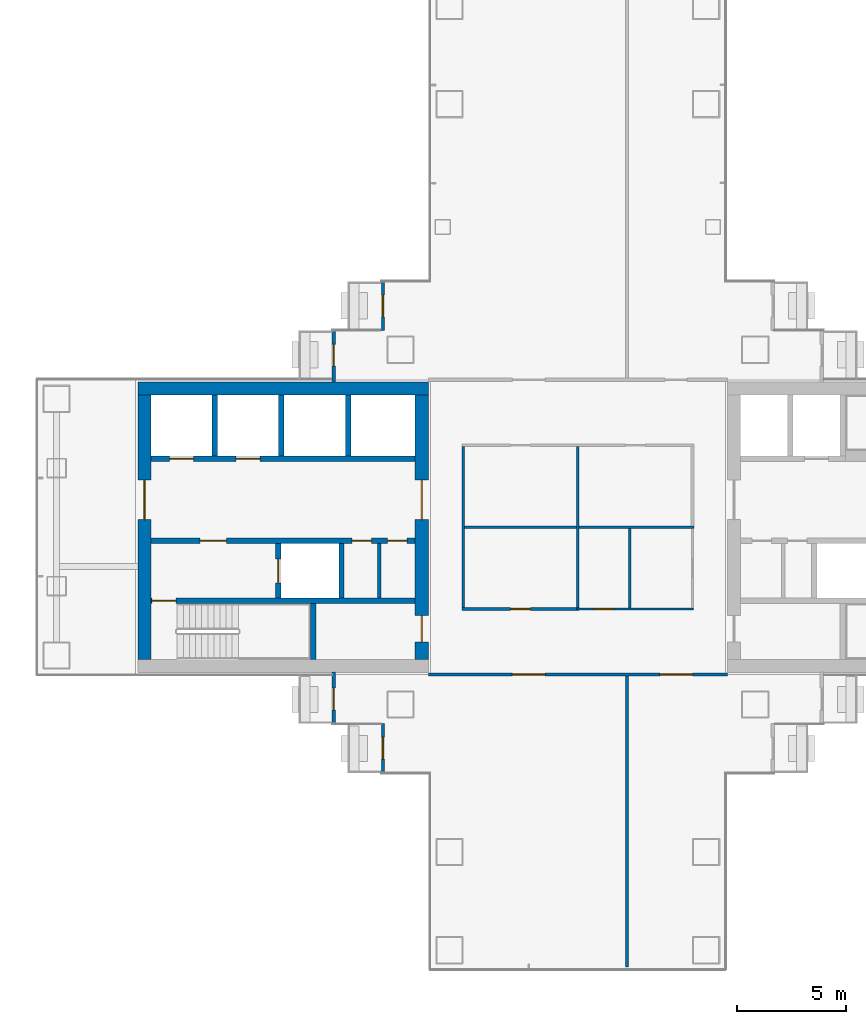
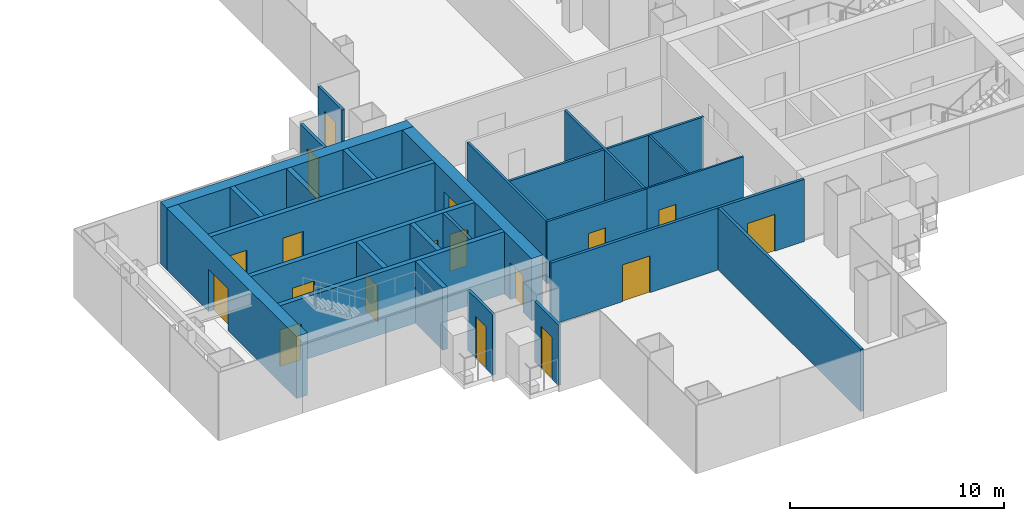
# One storey, part 13 of 19: 25 walls, 18 doors, 18 openings.
"""IFC4 building model written with IfcOpenShell, lengths in metres."""

from ifc_helpers import new_model, si_unit, direction, frame, frame_2d, origin, place, context, subcontext, project, spatial, rectangle, extrude, material, layer, layer_set, type_object, element, fill, save


model = new_model("IFC4")

# Units and contexts
model_context = context("Model", 3, precision=1e-05, world=origin(), true_north=direction((0.0, 1.0)))
body_context = subcontext(model_context, "Body", "Model", "MODEL_VIEW")
ifc_project = project(units=[si_unit("LENGTHUNIT", "METRE"), si_unit("AREAUNIT", "SQUARE_METRE"), si_unit("VOLUMEUNIT", "CUBIC_METRE"), si_unit("PLANEANGLEUNIT", "RADIAN"), si_unit("MASSUNIT", "GRAM", prefix="KILO")], contexts=[model_context])

# Site, building, storey
site_placement = place(None, origin())
site = spatial("IfcSite", under=ifc_project, at=site_placement, CompositionType="ELEMENT")
building_placement = place(site_placement, origin())
building = spatial("IfcBuilding", under=site, at=building_placement, Name="Shamsa Quay Exchange Towers", CompositionType="ELEMENT")
storey_placement = place(building_placement, frame((0.0, 0.0, 93.60009765625)))
storey = spatial("IfcBuildingStorey", under=building, at=storey_placement, Name="L21", CompositionType="ELEMENT", Elevation=93.60009765625)

# Wall, opening, door
ifc_material_1 = material(Name="Aluminium EN AW-6063 T6, black anodised, with black enamelled glass infill", Category="aluminium")
ifc_layer_1 = layer(ifc_material_1, 0.14990234375)
ifc_layer_set_1 = layer_set([ifc_layer_1], Name="BALCONY DOOR BAY WALL 150")
wall_type_1 = type_object("IfcWallType", Name="BALCONY DOOR BAY WALL 150", PredefinedType="SOLIDWALL", material=ifc_layer_set_1)
wall_1_placement = place(storey_placement, frame((24.824951171875, 9.0, 0.0), z_axis=(0.0, 0.0, 1.0), x_axis=(0.0, 1.0, 0.0)))
wall_1 = element("IfcWall", 1, at=wall_1_placement, inside=storey, type_object=wall_type_1, Name="Door bay T2-PKEN L21", PredefinedType="SOLIDWALL", context=body_context, shape_type="SweptSolid", body=[
    extrude(rectangle(XDim=2.25, YDim=0.14990234375, at=frame_2d((1.125, 0.0))), origin(), (0.0, 0.0, 1.0), 3.449951171875),
])
opening_1_placement = place(wall_1_placement, frame((0.625, 0.0, 0.0)))
opening_1 = element("IfcOpeningElement", 2, at=opening_1_placement, cuts=wall_1, Name="Opening XD129", PredefinedType="OPENING", context=body_context, shape_type="SweptSolid", body=[
    extrude(rectangle(XDim=1.0, YDim=2.39990234375, at=frame_2d((0.5, 1.199951171875))), frame((0.0, 0.0849609375, 0.0), z_axis=(0.0, -1.0, 0.0), x_axis=(1.0, 0.0, 0.0)), (0.0, 0.0, 1.0), 0.169921875),
])
ifc_material_2 = material(Name="Aluminium EN AW-6063 T6, black anodised, with laminated glass leaf", Category="aluminium")
door_type_1 = type_object("IfcDoorType", Name="BALCONY DOOR 1000x2400", OperationType="SINGLE_SWING_LEFT", PredefinedType="DOOR", material=ifc_material_2)
door_1_placement = place(opening_1_placement, origin())
door_1 = element("IfcDoor", 3, at=door_1_placement, inside=storey, type_object=door_type_1, Name="Balcony door T2-PKEN L21", OperationType="SINGLE_SWING_RIGHT", OverallHeight=2.39990234375, OverallWidth=1.0, PredefinedType="DOOR", context=body_context, shape_type="SweptSolid", body=[
    extrude(rectangle(XDim=1.0, YDim=2.39990234375, at=frame_2d((0.5, 1.199951171875))), frame((0.0, 0.02490234375, 0.0), z_axis=(0.0, -1.0, 0.0), x_axis=(1.0, 0.0, 0.0)), (0.0, 0.0, 1.0), 0.050048828125),
])
fill(opening_1, door_1)

wall_2_placement = place(storey_placement, frame((22.574951171875, 6.64306640625, 0.0), z_axis=(0.0, 0.0, 1.0), x_axis=(0.0, 1.0, 0.0)))
wall_2 = element("IfcWall", 4, at=wall_2_placement, inside=storey, type_object=wall_type_1, Name="Door bay T2-PKEN L21", PredefinedType="SOLIDWALL", context=body_context, shape_type="SweptSolid", body=[
    extrude(rectangle(XDim=2.35693359375, YDim=0.14990234375, at=frame_2d((1.178466796875, 0.0))), origin(), (0.0, 0.0, 1.0), 3.449951171875),
])
opening_2_placement = place(wall_2_placement, frame((0.73193359375, 0.0, 0.0)))
opening_2 = element("IfcOpeningElement", 5, at=opening_2_placement, cuts=wall_2, Name="Opening XD130", PredefinedType="OPENING", context=body_context, shape_type="SweptSolid", body=[
    extrude(rectangle(XDim=1.0, YDim=2.39990234375, at=frame_2d((0.5, 1.199951171875))), frame((0.0, 0.0849609375, 0.0), z_axis=(0.0, -1.0, 0.0), x_axis=(1.0, 0.0, 0.0)), (0.0, 0.0, 1.0), 0.169921875),
])
door_2_placement = place(opening_2_placement, origin())
door_2 = element("IfcDoor", 6, at=door_2_placement, inside=storey, type_object=door_type_1, Name="Balcony door T2-PKEN L21", OperationType="SINGLE_SWING_LEFT", OverallHeight=2.39990234375, OverallWidth=1.0, PredefinedType="DOOR", context=body_context, shape_type="SweptSolid", body=[
    extrude(rectangle(XDim=1.0, YDim=2.39990234375, at=frame_2d((0.5, 1.199951171875))), frame((0.0, 0.02490234375, 0.0), z_axis=(0.0, -1.0, 0.0), x_axis=(1.0, 0.0, 0.0)), (0.0, 0.0, 1.0), 0.050048828125),
])
fill(opening_2, door_2)

wall_3_placement = place(storey_placement, frame((22.574951171875, -9.0, 0.0), z_axis=(0.0, 0.0, 1.0), x_axis=(0.0, 1.0, 0.0)))
wall_3 = element("IfcWall", 7, at=wall_3_placement, inside=storey, type_object=wall_type_1, Name="Door bay T2-PKWN L21", PredefinedType="SOLIDWALL", context=body_context, shape_type="SweptSolid", body=[
    extrude(rectangle(XDim=2.35693359375, YDim=0.14990234375, at=frame_2d((1.178466796875, 0.0))), origin(), (0.0, 0.0, 1.0), 3.449951171875),
])
opening_3_placement = place(wall_3_placement, frame((0.625, 0.0, 0.0)))
opening_3 = element("IfcOpeningElement", 8, at=opening_3_placement, cuts=wall_3, Name="Opening XD133", PredefinedType="OPENING", context=body_context, shape_type="SweptSolid", body=[
    extrude(rectangle(XDim=1.0, YDim=2.39990234375, at=frame_2d((0.5, 1.199951171875))), frame((0.0, 0.0849609375, 0.0), z_axis=(0.0, -1.0, 0.0), x_axis=(1.0, 0.0, 0.0)), (0.0, 0.0, 1.0), 0.169921875),
])
door_3_placement = place(opening_3_placement, origin())
door_3 = element("IfcDoor", 9, at=door_3_placement, inside=storey, type_object=door_type_1, Name="Balcony door T2-PKWN L21", OperationType="SINGLE_SWING_LEFT", OverallHeight=2.39990234375, OverallWidth=1.0, PredefinedType="DOOR", context=body_context, shape_type="SweptSolid", body=[
    extrude(rectangle(XDim=1.0, YDim=2.39990234375, at=frame_2d((0.5, 1.199951171875))), frame((0.0, 0.02490234375, 0.0), z_axis=(0.0, -1.0, 0.0), x_axis=(1.0, 0.0, 0.0)), (0.0, 0.0, 1.0), 0.050048828125),
])
fill(opening_3, door_3)

wall_4_placement = place(storey_placement, frame((24.824951171875, -11.25, 0.0), z_axis=(0.0, 0.0, 1.0), x_axis=(0.0, 1.0, 0.0)))
wall_4 = element("IfcWall", 10, at=wall_4_placement, inside=storey, type_object=wall_type_1, Name="Door bay T2-PKWN L21", PredefinedType="SOLIDWALL", context=body_context, shape_type="SweptSolid", body=[
    extrude(rectangle(XDim=2.25, YDim=0.14990234375, at=frame_2d((1.125, 0.0))), origin(), (0.0, 0.0, 1.0), 3.449951171875),
])
opening_4_placement = place(wall_4_placement, frame((0.625, 0.0, 0.0)))
opening_4 = element("IfcOpeningElement", 11, at=opening_4_placement, cuts=wall_4, Name="Opening XD134", PredefinedType="OPENING", context=body_context, shape_type="SweptSolid", body=[
    extrude(rectangle(XDim=1.0, YDim=2.39990234375, at=frame_2d((0.5, 1.199951171875))), frame((0.0, 0.0849609375, 0.0), z_axis=(0.0, -1.0, 0.0), x_axis=(1.0, 0.0, 0.0)), (0.0, 0.0, 1.0), 0.169921875),
])
door_4_placement = place(opening_4_placement, origin())
door_4 = element("IfcDoor", 12, at=door_4_placement, inside=storey, type_object=door_type_1, Name="Balcony door T2-PKWN L21", OperationType="SINGLE_SWING_RIGHT", OverallHeight=2.39990234375, OverallWidth=1.0, PredefinedType="DOOR", context=body_context, shape_type="SweptSolid", body=[
    extrude(rectangle(XDim=1.0, YDim=2.39990234375, at=frame_2d((0.5, 1.199951171875))), frame((0.0, 0.02490234375, 0.0), z_axis=(0.0, -1.0, 0.0), x_axis=(1.0, 0.0, 0.0)), (0.0, 0.0, 1.0), 0.050048828125),
])
fill(opening_4, door_4)

# Wall
ifc_material_3 = material(Name="Concrete C70/85", Category="concrete")
ifc_layer_2 = layer(ifc_material_3, 0.60009765625)
ifc_layer_set_2 = layer_set([ifc_layer_2], Name="CORE WALL 600 C70/85")
wall_type_2 = type_object("IfcWallType", Name="CORE WALL 600 C70/85", PredefinedType="SHEAR", material=ifc_layer_set_2)
wall_5_placement = place(storey_placement, frame((13.60009765625, 6.35009765625, 0.0)))
element("IfcWall", 13, at=wall_5_placement, inside=storey, type_object=wall_type_2, Name="Core wall T2A-R09-PN", PredefinedType="SHEAR", context=body_context, shape_type="SweptSolid", body=[
    extrude(rectangle(XDim=13.2998046875, YDim=0.60009765625, at=frame_2d((6.64990234375, 0.0))), origin(), (0.0, 0.0, 1.0), 3.5498046875),
])

# Wall, opening, door
wall_6_placement = place(storey_placement, frame((13.89990234375, 6.050048828125, 0.0), z_axis=(0.0, 0.0, 1.0), x_axis=(0.0, -1.0, 0.0)))
wall_6 = element("IfcWall", 14, at=wall_6_placement, inside=storey, type_object=wall_type_2, Name="Core wall T2A-R09-PF", PredefinedType="SHEAR", context=body_context, shape_type="SweptSolid", body=[
    extrude(rectangle(XDim=12.10009765625, YDim=0.60009765625, at=frame_2d((6.050048828125, 0.0))), origin(), (0.0, 0.0, 1.0), 3.5498046875),
])
opening_5_placement = place(wall_6_placement, frame((3.89990234375, 0.0, 0.0)))
opening_5 = element("IfcOpeningElement", 15, at=opening_5_placement, cuts=wall_6, Name="Opening T2A-R09-LBD01", PredefinedType="OPENING", context=body_context, shape_type="SweptSolid", body=[
    extrude(rectangle(XDim=1.800048828125, YDim=2.39990234375, at=frame_2d((0.89990234375, 1.199951171875))), frame((0.0, 0.31005859375, 0.0), z_axis=(0.0, -1.0, 0.0), x_axis=(1.0, 0.0, 0.0)), (0.0, 0.0, 1.0), 0.6201171875),
])
ifc_material_4 = material(Name="Steel, fire rated", Category="steel")
door_type_2 = type_object("IfcDoorType", Name="LIFT LOBBY DOOR PAIR 1800", OperationType="DOUBLE_DOOR_SINGLE_SWING", PredefinedType="DOOR", material=ifc_material_4)
door_5_placement = place(opening_5_placement, origin())
door_5 = element("IfcDoor", 16, at=door_5_placement, inside=storey, type_object=door_type_2, Name="T2A-R09-LBD01", OperationType="DOUBLE_DOOR_SINGLE_SWING", OverallHeight=2.39990234375, OverallWidth=1.800048828125, PredefinedType="DOOR", context=body_context, shape_type="SweptSolid", body=[
    extrude(rectangle(XDim=1.800048828125, YDim=2.39990234375, at=frame_2d((0.89990234375, 1.199951171875))), frame((0.0, 0.02490234375, 0.0), z_axis=(0.0, -1.0, 0.0), x_axis=(1.0, 0.0, 0.0)), (0.0, 0.0, 1.0), 0.050048828125),
])
fill(opening_5, door_5)

# Wall, openings, doors
wall_7_placement = place(storey_placement, frame((26.60009765625, 6.050048828125, 0.0), z_axis=(0.0, 0.0, 1.0), x_axis=(0.0, -1.0, 0.0)))
wall_7 = element("IfcWall", 17, at=wall_7_placement, inside=storey, type_object=wall_type_2, Name="Core wall T2A-R09-PB", PredefinedType="SHEAR", context=body_context, shape_type="SweptSolid", body=[
    extrude(rectangle(XDim=12.10009765625, YDim=0.60009765625, at=frame_2d((6.050048828125, 0.0))), origin(), (0.0, 0.0, 1.0), 3.5498046875),
])
opening_6_placement = place(wall_7_placement, frame((10.10009765625, 0.0, 0.0)))
opening_6 = element("IfcOpeningElement", 18, at=opening_6_placement, cuts=wall_7, Name="Opening T2A-R09-RD02", PredefinedType="OPENING", context=body_context, shape_type="SweptSolid", body=[
    extrude(rectangle(XDim=1.199951171875, YDim=2.10009765625, at=frame_2d((0.60009765625, 1.050048828125))), frame((0.0, 0.31005859375, 0.0), z_axis=(0.0, -1.0, 0.0), x_axis=(1.0, 0.0, 0.0)), (0.0, 0.0, 1.0), 0.6201171875),
])
opening_7_placement = place(wall_7_placement, frame((3.89990234375, 0.0, 0.0)))
opening_7 = element("IfcOpeningElement", 19, at=opening_7_placement, cuts=wall_7, Name="Opening T2A-R09-LBD03", PredefinedType="OPENING", context=body_context, shape_type="SweptSolid", body=[
    extrude(rectangle(XDim=1.800048828125, YDim=2.39990234375, at=frame_2d((0.89990234375, 1.199951171875))), frame((0.0, 0.31005859375, 0.0), z_axis=(0.0, -1.0, 0.0), x_axis=(1.0, 0.0, 0.0)), (0.0, 0.0, 1.0), 0.6201171875),
])
door_6_placement = place(opening_7_placement, origin())
door_6 = element("IfcDoor", 20, at=door_6_placement, inside=storey, type_object=door_type_2, Name="T2A-R09-LBD03", OperationType="DOUBLE_DOOR_SINGLE_SWING", OverallHeight=2.39990234375, OverallWidth=1.800048828125, PredefinedType="DOOR", context=body_context, shape_type="SweptSolid", body=[
    extrude(rectangle(XDim=1.800048828125, YDim=2.39990234375, at=frame_2d((0.89990234375, 1.199951171875))), frame((0.0, 0.02490234375, 0.0), z_axis=(0.0, -1.0, 0.0), x_axis=(1.0, 0.0, 0.0)), (0.0, 0.0, 1.0), 0.050048828125),
])
fill(opening_7, door_6)
door_type_3 = type_object("IfcDoorType", Name="RISER ACCESS DOOR 1200", OperationType="SINGLE_SWING_LEFT", PredefinedType="DOOR", material=ifc_material_4)
door_7_placement = place(opening_6_placement, origin())
door_7 = element("IfcDoor", 21, at=door_7_placement, inside=storey, type_object=door_type_3, Name="T2A-R09-RD02", OperationType="SINGLE_SWING_RIGHT", OverallHeight=2.10009765625, OverallWidth=1.199951171875, PredefinedType="DOOR", context=body_context, shape_type="SweptSolid", body=[
    extrude(rectangle(XDim=1.199951171875, YDim=2.10009765625, at=frame_2d((0.60009765625, 1.050048828125))), frame((0.0, 0.02490234375, 0.0), z_axis=(0.0, -1.0, 0.0), x_axis=(1.0, 0.0, 0.0)), (0.0, 0.0, 1.0), 0.050048828125),
])
fill(opening_6, door_7)

# Walls
ifc_material_5 = material(Name="Gypsum board on steel studs, EI 60", Category="steel")
ifc_layer_3 = layer(ifc_material_5, 0.14990234375)
ifc_layer_set_3 = layer_set([ifc_layer_3], Name="FIRE PARTITION 150")
wall_type_3 = type_object("IfcWallType", Name="FIRE PARTITION 150", PredefinedType="PARTITIONING", material=ifc_layer_set_3)
wall_8_placement = place(storey_placement, frame((24.64990234375, -3.25, 0.0), z_axis=(0.0, 0.0, 1.0), x_axis=(0.0, 1.0, 0.0)))
element("IfcWall", 22, at=wall_8_placement, inside=storey, type_object=wall_type_3, Name="Partition T2A-R09-EC0", PredefinedType="PARTITIONING", context=body_context, shape_type="SweptSolid", body=[
    extrude(rectangle(XDim=2.5, YDim=0.14990234375, at=frame_2d((1.25, 0.0))), origin(), (0.0, 0.0, 1.0), 3.5498046875),
])
ifc_material_6 = material(Name="Laminated fire-resisting glass in a metal frame", Category="glass")
ifc_layer_4 = layer(ifc_material_6, 0.125)
ifc_layer_set_4 = layer_set([ifc_layer_4], Name="Glazed partition 125 mm EI 60")
wall_type_4 = type_object("IfcWallType", Name="Glazed partition 125 mm EI 60", PredefinedType="PARTITIONING", material=ifc_layer_set_4)
wall_9_placement = place(storey_placement, frame((28.5, 3.6875, 0.0), z_axis=(0.0, 0.0, 1.0), x_axis=(0.0, -1.0, 0.0)))
element("IfcWall", 23, at=wall_9_placement, inside=storey, type_object=wall_type_4, Name="Partition T2-R09-W01", PredefinedType="PARTITIONING", context=body_context, shape_type="SweptSolid", body=[
    extrude(rectangle(XDim=7.375, YDim=0.125, at=frame_2d((3.6875, 0.0))), origin(), (0.0, 0.0, 1.0), 3.5498046875),
])

# Wall, opening, door
wall_10_placement = place(storey_placement, frame((28.4375, -3.75, 0.0)))
wall_10 = element("IfcWall", 24, at=wall_10_placement, inside=storey, type_object=wall_type_4, Name="Partition T2-R09-W03", PredefinedType="PARTITIONING", context=body_context, shape_type="SweptSolid", body=[
    extrude(rectangle(XDim=5.375, YDim=0.125, at=frame_2d((2.6875, 0.0))), origin(), (0.0, 0.0, 1.0), 3.5498046875),
])
opening_8_placement = place(wall_10_placement, frame((2.237548828125, 0.0, 0.0)))
opening_8 = element("IfcOpeningElement", 25, at=opening_8_placement, cuts=wall_10, Name="Opening T2-R09-D05", PredefinedType="OPENING", context=body_context, shape_type="SweptSolid", body=[
    extrude(rectangle(XDim=0.89990234375, YDim=2.10009765625, at=frame_2d((0.449951171875, 1.050048828125))), frame((0.0, 0.072509765625, 0.0), z_axis=(0.0, -1.0, 0.0), x_axis=(1.0, 0.0, 0.0)), (0.0, 0.0, 1.0), 0.14501953125),
])
ifc_material_7 = material(Name="Timber door leaf in a metal frame", Category="wood")
door_type_4 = type_object("IfcDoorType", Name="Door 900x2100 FD30S", OperationType="NOTDEFINED", PredefinedType="DOOR", material=ifc_material_7)
door_8_placement = place(opening_8_placement, origin())
door_8 = element("IfcDoor", 26, at=door_8_placement, inside=storey, type_object=door_type_4, Name="Door T2-R09-D05", OperationType="SINGLE_SWING_LEFT", OverallHeight=2.10009765625, OverallWidth=0.89990234375, PredefinedType="DOOR", context=body_context, shape_type="SweptSolid", body=[
    extrude(rectangle(XDim=0.89990234375, YDim=2.10009765625, at=frame_2d((0.449951171875, 1.050048828125))), frame((0.0, 0.02490234375, 0.0), z_axis=(0.0, -1.0, 0.0), x_axis=(1.0, 0.0, 0.0)), (0.0, 0.0, 1.0), 0.050048828125),
])
fill(opening_8, door_8)

# Walls
wall_11_placement = place(storey_placement, frame((28.5625, 0.0, 0.0)))
element("IfcWall", 27, at=wall_11_placement, inside=storey, type_object=wall_type_4, Name="Partition T2-R09-W09", PredefinedType="PARTITIONING", context=body_context, shape_type="SweptSolid", body=[
    extrude(rectangle(XDim=10.5, YDim=0.125, at=frame_2d((5.25, 0.0))), origin(), (0.0, 0.0, 1.0), 3.5498046875),
])
wall_12_placement = place(storey_placement, frame((33.75, -3.6875, 0.0), z_axis=(0.0, 0.0, 1.0), x_axis=(0.0, 1.0, 0.0)))
element("IfcWall", 28, at=wall_12_placement, inside=storey, type_object=wall_type_4, Name="Partition T2-R09-W10", PredefinedType="PARTITIONING", context=body_context, shape_type="SweptSolid", body=[
    extrude(rectangle(XDim=7.375, YDim=0.125, at=frame_2d((3.6875, 0.0))), origin(), (0.0, 0.0, 1.0), 3.5498046875),
])

# Wall, opening, door
ifc_material_8 = material(Name="Gypsum board partition on metal studs")
ifc_layer_5 = layer(ifc_material_8, 0.10009765625)
ifc_layer_set_5 = layer_set([ifc_layer_5], Name="Partition 100 mm NOT RATED")
wall_type_5 = type_object("IfcWallType", Name="Partition 100 mm NOT RATED", PredefinedType="PARTITIONING", material=ifc_layer_set_5)
wall_13_placement = place(storey_placement, frame((33.6875, -3.75, 0.0)))
wall_13 = element("IfcWall", 29, at=wall_13_placement, inside=storey, type_object=wall_type_5, Name="Partition T2-R09-W06", PredefinedType="PARTITIONING", context=body_context, shape_type="SweptSolid", body=[
    extrude(rectangle(XDim=5.362548828125, YDim=0.10009765625, at=frame_2d((2.68115234375, 0.0))), origin(), (0.0, 0.0, 1.0), 3.5498046875),
])
opening_9_placement = place(wall_13_placement, frame((0.800048828125, 0.0, 0.0)))
opening_9 = element("IfcOpeningElement", 30, at=opening_9_placement, cuts=wall_13, Name="Opening T2-R09-D03", PredefinedType="OPENING", context=body_context, shape_type="SweptSolid", body=[
    extrude(rectangle(XDim=0.89990234375, YDim=2.10009765625, at=frame_2d((0.449951171875, 1.050048828125))), frame((0.0, 0.06005859375, 0.0), z_axis=(0.0, -1.0, 0.0), x_axis=(1.0, 0.0, 0.0)), (0.0, 0.0, 1.0), 0.1201171875),
])
door_type_5 = type_object("IfcDoorType", Name="Door 900x2100 NOT RATED", OperationType="NOTDEFINED", PredefinedType="DOOR", material=ifc_material_7)
door_9_placement = place(opening_9_placement, origin())
door_9 = element("IfcDoor", 31, at=door_9_placement, inside=storey, type_object=door_type_5, Name="Door T2-R09-D03", OperationType="SINGLE_SWING_RIGHT", OverallHeight=2.10009765625, OverallWidth=0.89990234375, PredefinedType="DOOR", context=body_context, shape_type="SweptSolid", body=[
    extrude(rectangle(XDim=0.89990234375, YDim=2.10009765625, at=frame_2d((0.449951171875, 1.050048828125))), frame((0.0, 0.02490234375, 0.0), z_axis=(0.0, -1.0, 0.0), x_axis=(1.0, 0.0, 0.0)), (0.0, 0.0, 1.0), 0.050048828125),
])
fill(opening_9, door_9)

# Wall
wall_14_placement = place(storey_placement, frame((36.125, -0.0625, 0.0), z_axis=(0.0, 0.0, 1.0), x_axis=(0.0, -1.0, 0.0)))
element("IfcWall", 32, at=wall_14_placement, inside=storey, type_object=wall_type_5, Name="Partition T2-R09-W11", PredefinedType="PARTITIONING", context=body_context, shape_type="SweptSolid", body=[
    extrude(rectangle(XDim=3.637451171875, YDim=0.10009765625, at=frame_2d((1.81884765625, 0.0))), origin(), (0.0, 0.0, 1.0), 3.5498046875),
])

# Wall, openings, doors
ifc_layer_6 = layer(ifc_material_8, 0.14990234375)
ifc_layer_set_6 = layer_set([ifc_layer_6], Name="Partition 150 mm EI 60")
wall_type_6 = type_object("IfcWallType", Name="Partition 150 mm EI 60", PredefinedType="PARTITIONING", material=ifc_layer_set_6)
wall_15_placement = place(storey_placement, frame((40.60009765625, -6.75, 0.0), z_axis=(0.0, 0.0, 1.0), x_axis=(-1.0, 0.0, 0.0)))
wall_15 = element("IfcWall", 33, at=wall_15_placement, inside=storey, type_object=wall_type_6, Name="Partition T2-R09-W08", PredefinedType="PARTITIONING", context=body_context, shape_type="SweptSolid", body=[
    extrude(rectangle(XDim=13.7001953125, YDim=0.14990234375, at=frame_2d((6.85009765625, 0.0))), origin(), (0.0, 0.0, 1.0), 3.5498046875),
])
opening_10_placement = place(wall_15_placement, frame((8.35009765625, 0.0, 0.0)))
opening_10 = element("IfcOpeningElement", 34, at=opening_10_placement, cuts=wall_15, Name="Opening T2-R09-D08", PredefinedType="OPENING", context=body_context, shape_type="SweptSolid", body=[
    extrude(rectangle(XDim=1.5, YDim=2.10009765625, at=frame_2d((0.75, 1.050048828125))), frame((0.0, 0.0849609375, 0.0), z_axis=(0.0, -1.0, 0.0), x_axis=(1.0, 0.0, 0.0)), (0.0, 0.0, 1.0), 0.169921875),
])
opening_11_placement = place(wall_15_placement, frame((1.60009765625, 0.0, 0.0)))
opening_11 = element("IfcOpeningElement", 35, at=opening_11_placement, cuts=wall_15, Name="Opening T2-R09-D09", PredefinedType="OPENING", context=body_context, shape_type="SweptSolid", body=[
    extrude(rectangle(XDim=1.5, YDim=2.10009765625, at=frame_2d((0.75, 1.050048828125))), frame((0.0, 0.0849609375, 0.0), z_axis=(0.0, -1.0, 0.0), x_axis=(1.0, 0.0, 0.0)), (0.0, 0.0, 1.0), 0.169921875),
])
door_type_6 = type_object("IfcDoorType", Name="Door 1500x2100 FD30S pair", OperationType="NOTDEFINED", PredefinedType="DOOR", material=ifc_material_7)
door_10_placement = place(opening_10_placement, origin())
door_10 = element("IfcDoor", 36, at=door_10_placement, inside=storey, type_object=door_type_6, Name="Door T2-R09-D08", OperationType="DOUBLE_DOOR_SINGLE_SWING", OverallHeight=2.10009765625, OverallWidth=1.5, PredefinedType="DOOR", context=body_context, shape_type="SweptSolid", body=[
    extrude(rectangle(XDim=1.5, YDim=2.10009765625, at=frame_2d((0.75, 1.050048828125))), frame((0.0, 0.02490234375, 0.0), z_axis=(0.0, -1.0, 0.0), x_axis=(1.0, 0.0, 0.0)), (0.0, 0.0, 1.0), 0.050048828125),
])
fill(opening_10, door_10)
door_11_placement = place(opening_11_placement, origin())
door_11 = element("IfcDoor", 37, at=door_11_placement, inside=storey, type_object=door_type_6, Name="Door T2-R09-D09", OperationType="DOUBLE_DOOR_SINGLE_SWING", OverallHeight=2.10009765625, OverallWidth=1.5, PredefinedType="DOOR", context=body_context, shape_type="SweptSolid", body=[
    extrude(rectangle(XDim=1.5, YDim=2.10009765625, at=frame_2d((0.75, 1.050048828125))), frame((0.0, 0.02490234375, 0.0), z_axis=(0.0, -1.0, 0.0), x_axis=(1.0, 0.0, 0.0)), (0.0, 0.0, 1.0), 0.050048828125),
])
fill(opening_11, door_11)

# Wall
wall_16_placement = place(storey_placement, frame((36.0, -6.824951171875, 0.0), z_axis=(0.0, 0.0, 1.0), x_axis=(0.0, -1.0, 0.0)))
element("IfcWall", 38, at=wall_16_placement, inside=storey, type_object=wall_type_6, Name="Partition T2-R09-W12", PredefinedType="PARTITIONING", context=body_context, shape_type="SweptSolid", body=[
    extrude(rectangle(XDim=13.330078125, YDim=0.14990234375, at=frame_2d((6.6650390625, 0.0))), origin(), (0.0, 0.0, 1.0), 3.5498046875),
])

# Wall, opening, door
ifc_material_9 = material(Name="Concrete C50/60", Category="concrete")
ifc_layer_7 = layer(ifc_material_9, 0.25)
ifc_layer_set_7 = layer_set([ifc_layer_7], Name="SHAFT WALL 250 C50/60")
wall_type_7 = type_object("IfcWallType", Name="SHAFT WALL 250 C50/60", PredefinedType="SHEAR", material=ifc_layer_set_7)
wall_17_placement = place(storey_placement, frame((26.300048828125, -3.375, 0.0), z_axis=(0.0, 0.0, 1.0), x_axis=(-1.0, 0.0, 0.0)))
wall_17 = element("IfcWall", 39, at=wall_17_placement, inside=storey, type_object=wall_type_7, Name="Shaft wall T2A-R09-STL", PredefinedType="SHEAR", context=body_context, shape_type="SweptSolid", body=[
    extrude(rectangle(XDim=12.10009765625, YDim=0.25, at=frame_2d((6.050048828125, 0.0))), origin(), (0.0, 0.0, 1.0), 3.5498046875),
])
opening_12_placement = place(wall_17_placement, frame((10.949951171875, 0.0, 0.0)))
opening_12 = element("IfcOpeningElement", 40, at=opening_12_placement, cuts=wall_17, Name="Opening T2A-R09-SD04", PredefinedType="OPENING", context=body_context, shape_type="SweptSolid", body=[
    extrude(rectangle(XDim=1.10009765625, YDim=2.10009765625, at=frame_2d((0.550048828125, 1.050048828125))), frame((0.0, 0.135009765625, 0.0), z_axis=(0.0, -1.0, 0.0), x_axis=(1.0, 0.0, 0.0)), (0.0, 0.0, 1.0), 0.27001953125),
])
door_type_7 = type_object("IfcDoorType", Name="STAIR DOOR 1100", OperationType="SINGLE_SWING_LEFT", PredefinedType="DOOR", material=ifc_material_4)
door_12_placement = place(opening_12_placement, origin())
door_12 = element("IfcDoor", 41, at=door_12_placement, inside=storey, type_object=door_type_7, Name="T2A-R09-SD04", OperationType="SINGLE_SWING_RIGHT", OverallHeight=2.10009765625, OverallWidth=1.10009765625, PredefinedType="DOOR", context=body_context, shape_type="SweptSolid", body=[
    extrude(rectangle(XDim=1.10009765625, YDim=2.10009765625, at=frame_2d((0.550048828125, 1.050048828125))), frame((0.0, 0.02490234375, 0.0), z_axis=(0.0, -1.0, 0.0), x_axis=(1.0, 0.0, 0.0)), (0.0, 0.0, 1.0), 0.050048828125),
])
fill(opening_12, door_12)

# Wall
wall_18_placement = place(storey_placement, frame((21.625, -6.050048828125, 0.0), z_axis=(0.0, 0.0, 1.0), x_axis=(0.0, 1.0, 0.0)))
element("IfcWall", 42, at=wall_18_placement, inside=storey, type_object=wall_type_7, Name="Shaft wall T2A-R09-STF", PredefinedType="SHEAR", context=body_context, shape_type="SweptSolid", body=[
    extrude(rectangle(XDim=2.550048828125, YDim=0.25, at=frame_2d((1.27490234375, 0.0))), origin(), (0.0, 0.0, 1.0), 3.5498046875),
])

# Wall, openings, doors
wall_19_placement = place(storey_placement, frame((26.300048828125, -0.625, 0.0), z_axis=(0.0, 0.0, 1.0), x_axis=(-1.0, 0.0, 0.0)))
wall_19 = element("IfcWall", 43, at=wall_19_placement, inside=storey, type_object=wall_type_7, Name="Shaft wall T2A-R09-B", PredefinedType="SHEAR", context=body_context, shape_type="SweptSolid", body=[
    extrude(rectangle(XDim=12.10009765625, YDim=0.25, at=frame_2d((6.050048828125, 0.0))), origin(), (0.0, 0.0, 1.0), 3.5498046875),
])
opening_13_placement = place(wall_19_placement, frame((8.64990234375, 0.0, 0.0)))
opening_13 = element("IfcOpeningElement", 44, at=opening_13_placement, cuts=wall_19, Name="Opening T2A-R09-FD05", PredefinedType="OPENING", context=body_context, shape_type="SweptSolid", body=[
    extrude(rectangle(XDim=1.199951171875, YDim=2.10009765625, at=frame_2d((0.60009765625, 1.050048828125))), frame((0.0, 0.135009765625, 0.0), z_axis=(0.0, -1.0, 0.0), x_axis=(1.0, 0.0, 0.0)), (0.0, 0.0, 1.0), 0.27001953125),
])
opening_14_placement = place(wall_19_placement, frame((2.0, 0.0, 0.0)))
opening_14 = element("IfcOpeningElement", 45, at=opening_14_placement, cuts=wall_19, Name="Opening T2A-R09-SV06", PredefinedType="OPENING", context=body_context, shape_type="SweptSolid", body=[
    extrude(rectangle(XDim=0.89990234375, YDim=2.10009765625, at=frame_2d((0.449951171875, 1.050048828125))), frame((0.0, 0.135009765625, 0.0), z_axis=(0.0, -1.0, 0.0), x_axis=(1.0, 0.0, 0.0)), (0.0, 0.0, 1.0), 0.27001953125),
])
opening_15_placement = place(wall_19_placement, frame((0.375, 0.0, 0.0)))
opening_15 = element("IfcOpeningElement", 46, at=opening_15_placement, cuts=wall_19, Name="Opening T2A-R09-SV07", PredefinedType="OPENING", context=body_context, shape_type="SweptSolid", body=[
    extrude(rectangle(XDim=0.89990234375, YDim=2.10009765625, at=frame_2d((0.449951171875, 1.050048828125))), frame((0.0, 0.135009765625, 0.0), z_axis=(0.0, -1.0, 0.0), x_axis=(1.0, 0.0, 0.0)), (0.0, 0.0, 1.0), 0.27001953125),
])
door_type_8 = type_object("IfcDoorType", Name="FIRE SERVICE LOBBY DOOR 1200", OperationType="SINGLE_SWING_LEFT", PredefinedType="DOOR", material=ifc_material_4)
door_13_placement = place(opening_13_placement, origin())
door_13 = element("IfcDoor", 47, at=door_13_placement, inside=storey, type_object=door_type_8, Name="T2A-R09-FD05", OperationType="SINGLE_SWING_RIGHT", OverallHeight=2.10009765625, OverallWidth=1.199951171875, PredefinedType="DOOR", context=body_context, shape_type="SweptSolid", body=[
    extrude(rectangle(XDim=1.199951171875, YDim=2.10009765625, at=frame_2d((0.60009765625, 1.050048828125))), frame((0.0, 0.02490234375, 0.0), z_axis=(0.0, -1.0, 0.0), x_axis=(1.0, 0.0, 0.0)), (0.0, 0.0, 1.0), 0.050048828125),
])
fill(opening_13, door_13)
door_type_9 = type_object("IfcDoorType", Name="SERVICE ROOM DOOR 900", OperationType="SINGLE_SWING_LEFT", PredefinedType="DOOR", material=ifc_material_4)
door_14_placement = place(opening_14_placement, origin())
door_14 = element("IfcDoor", 48, at=door_14_placement, inside=storey, type_object=door_type_9, Name="T2A-R09-SV06", OperationType="SINGLE_SWING_LEFT", OverallHeight=2.10009765625, OverallWidth=0.89990234375, PredefinedType="DOOR", context=body_context, shape_type="SweptSolid", body=[
    extrude(rectangle(XDim=0.89990234375, YDim=2.10009765625, at=frame_2d((0.449951171875, 1.050048828125))), frame((0.0, 0.02490234375, 0.0), z_axis=(0.0, -1.0, 0.0), x_axis=(1.0, 0.0, 0.0)), (0.0, 0.0, 1.0), 0.050048828125),
])
fill(opening_14, door_14)
door_15_placement = place(opening_15_placement, origin())
door_15 = element("IfcDoor", 49, at=door_15_placement, inside=storey, type_object=door_type_9, Name="T2A-R09-SV07", OperationType="SINGLE_SWING_LEFT", OverallHeight=2.10009765625, OverallWidth=0.89990234375, PredefinedType="DOOR", context=body_context, shape_type="SweptSolid", body=[
    extrude(rectangle(XDim=0.89990234375, YDim=2.10009765625, at=frame_2d((0.449951171875, 1.050048828125))), frame((0.0, 0.02490234375, 0.0), z_axis=(0.0, -1.0, 0.0), x_axis=(1.0, 0.0, 0.0)), (0.0, 0.0, 1.0), 0.050048828125),
])
fill(opening_15, door_15)

# Wall, opening, door
wall_20_placement = place(storey_placement, frame((20.02490234375, -3.25, 0.0), z_axis=(0.0, 0.0, 1.0), x_axis=(0.0, 1.0, 0.0)))
wall_20 = element("IfcWall", 50, at=wall_20_placement, inside=storey, type_object=wall_type_7, Name="Shaft wall T2A-R09-FFF", PredefinedType="SHEAR", context=body_context, shape_type="SweptSolid", body=[
    extrude(rectangle(XDim=2.5, YDim=0.25, at=frame_2d((1.25, 0.0))), origin(), (0.0, 0.0, 1.0), 3.5498046875),
])
opening_16_placement = place(wall_20_placement, frame((0.699951171875, 0.0, 0.0)))
opening_16 = element("IfcOpeningElement", 51, at=opening_16_placement, cuts=wall_20, Name="Opening T2A-R09-LDF08", PredefinedType="OPENING", context=body_context, shape_type="SweptSolid", body=[
    extrude(rectangle(XDim=1.10009765625, YDim=2.10009765625, at=frame_2d((0.550048828125, 1.050048828125))), frame((0.0, 0.135009765625, 0.0), z_axis=(0.0, -1.0, 0.0), x_axis=(1.0, 0.0, 0.0)), (0.0, 0.0, 1.0), 0.27001953125),
])
door_type_10 = type_object("IfcDoorType", Name="FIRE SERVICE LANDING DOOR 1100", OperationType="SLIDING_TO_LEFT", PredefinedType="DOOR", material=ifc_material_4)
door_16_placement = place(opening_16_placement, origin())
door_16 = element("IfcDoor", 52, at=door_16_placement, inside=storey, type_object=door_type_10, Name="T2A-R09-LDF08", OperationType="SLIDING_TO_LEFT", OverallHeight=2.10009765625, OverallWidth=1.10009765625, PredefinedType="DOOR", context=body_context, shape_type="SweptSolid", body=[
    extrude(rectangle(XDim=1.10009765625, YDim=2.10009765625, at=frame_2d((0.550048828125, 1.050048828125))), frame((0.0, 0.02490234375, 0.0), z_axis=(0.0, -1.0, 0.0), x_axis=(1.0, 0.0, 0.0)), (0.0, 0.0, 1.0), 0.050048828125),
])
fill(opening_16, door_16)

# Wall
wall_21_placement = place(storey_placement, frame((22.925048828125, -3.25, 0.0), z_axis=(0.0, 0.0, 1.0), x_axis=(0.0, 1.0, 0.0)))
element("IfcWall", 53, at=wall_21_placement, inside=storey, type_object=wall_type_7, Name="Shaft wall T2A-R09-FFB", PredefinedType="SHEAR", context=body_context, shape_type="SweptSolid", body=[
    extrude(rectangle(XDim=2.5, YDim=0.25, at=frame_2d((1.25, 0.0))), origin(), (0.0, 0.0, 1.0), 3.5498046875),
])

# Wall, openings, doors
wall_22_placement = place(storey_placement, frame((14.199951171875, 3.125, 0.0)))
wall_22 = element("IfcWall", 54, at=wall_22_placement, inside=storey, type_object=wall_type_7, Name="Shaft wall T2A-R09-N", PredefinedType="SHEAR", context=body_context, shape_type="SweptSolid", body=[
    extrude(rectangle(XDim=12.10009765625, YDim=0.25, at=frame_2d((6.050048828125, 0.0))), origin(), (0.0, 0.0, 1.0), 3.5498046875),
])
opening_17_placement = place(wall_22_placement, frame((0.85009765625, 0.0, 0.0)))
opening_17 = element("IfcOpeningElement", 55, at=opening_17_placement, cuts=wall_22, Name="Opening T2A-R09-LD09", PredefinedType="OPENING", context=body_context, shape_type="SweptSolid", body=[
    extrude(rectangle(XDim=1.10009765625, YDim=2.10009765625, at=frame_2d((0.550048828125, 1.050048828125))), frame((0.0, 0.135009765625, 0.0), z_axis=(0.0, -1.0, 0.0), x_axis=(1.0, 0.0, 0.0)), (0.0, 0.0, 1.0), 0.27001953125),
])
opening_18_placement = place(wall_22_placement, frame((3.89990234375, 0.0, 0.0)))
opening_18 = element("IfcOpeningElement", 56, at=opening_18_placement, cuts=wall_22, Name="Opening T2A-R09-LD10", PredefinedType="OPENING", context=body_context, shape_type="SweptSolid", body=[
    extrude(rectangle(XDim=1.10009765625, YDim=2.10009765625, at=frame_2d((0.550048828125, 1.050048828125))), frame((0.0, 0.135009765625, 0.0), z_axis=(0.0, -1.0, 0.0), x_axis=(1.0, 0.0, 0.0)), (0.0, 0.0, 1.0), 0.27001953125),
])
door_type_11 = type_object("IfcDoorType", Name="LANDING DOOR 1100", OperationType="SLIDING_TO_LEFT", PredefinedType="DOOR", material=ifc_material_4)
door_17_placement = place(opening_17_placement, origin())
door_17 = element("IfcDoor", 57, at=door_17_placement, inside=storey, type_object=door_type_11, Name="T2A-R09-LD09", OperationType="SLIDING_TO_LEFT", OverallHeight=2.10009765625, OverallWidth=1.10009765625, PredefinedType="DOOR", context=body_context, shape_type="SweptSolid", body=[
    extrude(rectangle(XDim=1.10009765625, YDim=2.10009765625, at=frame_2d((0.550048828125, 1.050048828125))), frame((0.0, 0.02490234375, 0.0), z_axis=(0.0, -1.0, 0.0), x_axis=(1.0, 0.0, 0.0)), (0.0, 0.0, 1.0), 0.050048828125),
])
fill(opening_17, door_17)
door_18_placement = place(opening_18_placement, origin())
door_18 = element("IfcDoor", 58, at=door_18_placement, inside=storey, type_object=door_type_11, Name="T2A-R09-LD10", OperationType="SLIDING_TO_LEFT", OverallHeight=2.10009765625, OverallWidth=1.10009765625, PredefinedType="DOOR", context=body_context, shape_type="SweptSolid", body=[
    extrude(rectangle(XDim=1.10009765625, YDim=2.10009765625, at=frame_2d((0.550048828125, 1.050048828125))), frame((0.0, 0.02490234375, 0.0), z_axis=(0.0, -1.0, 0.0), x_axis=(1.0, 0.0, 0.0)), (0.0, 0.0, 1.0), 0.050048828125),
])
fill(opening_18, door_18)

# Walls
for number, where, z_axis, x_axis, name in (
    (59, (17.125, 3.25, 0.0), (0.0, 0.0, 1.0), (0.0, 1.0, 0.0), "Shaft wall T2A-R09-D0"),
    (60, (20.175048828125, 3.25, 0.0), (0.0, 0.0, 1.0), (0.0, 1.0, 0.0), "Shaft wall T2A-R09-D1"),
    (61, (23.22509765625, 3.25, 0.0), (0.0, 0.0, 1.0), (0.0, 1.0, 0.0), "Shaft wall T2A-R09-D2"),
):
    element("IfcWall", number, at=place(storey_placement, frame(where, z_axis=z_axis, x_axis=x_axis)), inside=storey, type_object=wall_type_7, Name=name, PredefinedType="SHEAR", context=body_context, shape_type="SweptSolid", body=[
        extrude(rectangle(XDim=2.800048828125, YDim=0.25, at=frame_2d((1.39990234375, 0.0))), origin(), (0.0, 0.0, 1.0), 3.5498046875),
    ])

save(model, "model.ifc")
